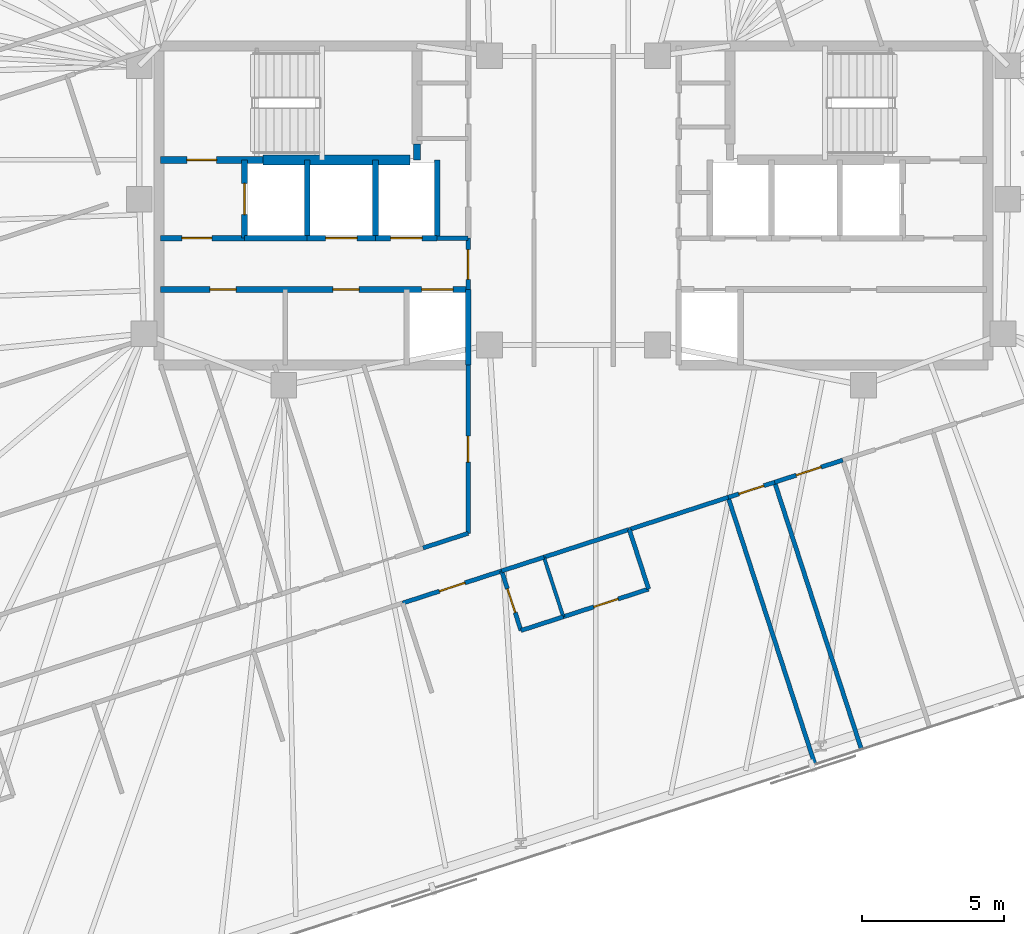
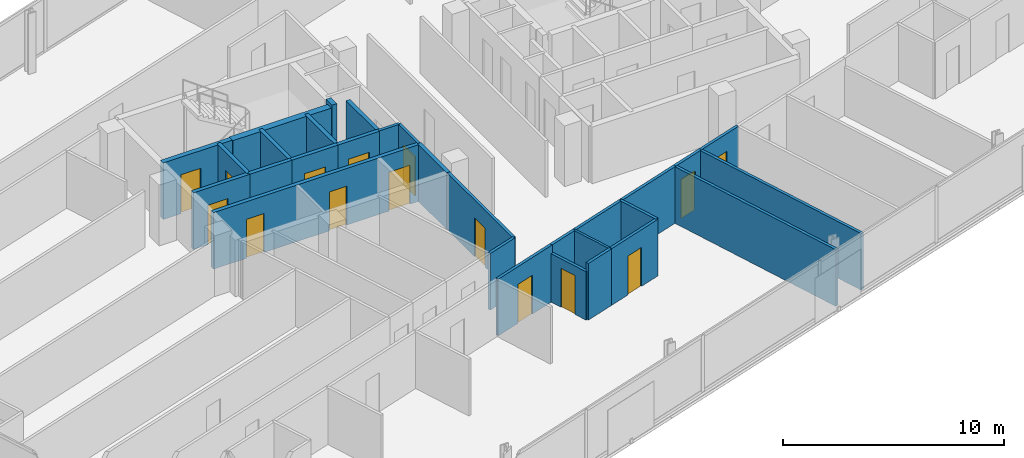
# One storey, part 14 of 19: 30 walls, 15 doors, 15 openings.
"""IFC4 building model written with IfcOpenShell, lengths in metres."""

from ifc_helpers import new_model, si_unit, direction, frame, frame_2d, origin, place, context, subcontext, project, spatial, rectangle, extrude, material, layer, layer_set, type_object, element, fill, save


model = new_model("IFC4")

# Units and contexts
model_context = context("Model", 3, precision=1e-05, world=origin(), true_north=direction((0.0, 1.0)))
body_context = subcontext(model_context, "Body", "Model", "MODEL_VIEW")
ifc_project = project(units=[si_unit("LENGTHUNIT", "METRE"), si_unit("AREAUNIT", "SQUARE_METRE"), si_unit("VOLUMEUNIT", "CUBIC_METRE"), si_unit("PLANEANGLEUNIT", "RADIAN"), si_unit("MASSUNIT", "GRAM", prefix="KILO")], contexts=[model_context])

# Site, building, storey
site_placement = place(None, origin())
site = spatial("IfcSite", under=ifc_project, at=site_placement, CompositionType="ELEMENT")
building_placement = place(site_placement, origin())
building = spatial("IfcBuilding", under=site, at=building_placement, Name="Menara Jurai Vektor", CompositionType="ELEMENT")
storey_placement = place(building_placement, frame((0.0, 0.0, 234.35009765625)))
storey = spatial("IfcBuildingStorey", under=building, at=storey_placement, Name="L62", CompositionType="ELEMENT", Elevation=234.35009765625)

# Wall, opening, door
ifc_material_1 = material(Name="Concrete C40/50", Category="concrete")
ifc_layer_1 = layer(ifc_material_1, 0.25)
ifc_layer_set_1 = layer_set([ifc_layer_1], Name="Concrete C40/50")
wall_type_1 = type_object("IfcWallType", Name="INT-WALL-CORE-250", PredefinedType="STANDARD", material=ifc_layer_set_1)
wall_1_placement = place(storey_placement, frame((-14.5, 1.60009765625, 0.0), z_axis=(0.0, 0.0, 1.0), x_axis=(1.0, 0.0, 0.0)))
wall_1 = element("IfcWall", 1, at=wall_1_placement, inside=storey, type_object=wall_type_1, Name="Interior Wall IW-250 L62", PredefinedType="STANDARD", context=body_context, shape_type="SweptSolid", body=[
    extrude(rectangle(XDim=3.60009765625, YDim=0.25, at=frame_2d((1.800048828125, 0.0))), origin(), (0.0, 0.0, 1.0), 3.125),
])
opening_1_placement = place(wall_1_placement, frame((0.919921875, 0.0, 0.0)))
opening_1 = element("IfcOpeningElement", 2, at=opening_1_placement, cuts=wall_1, Name="Opening D-L62-ST1", PredefinedType="OPENING", context=body_context, shape_type="SweptSolid", body=[
    extrude(rectangle(XDim=1.050048828125, YDim=2.14990234375, at=frame_2d((0.52490234375, 1.074951171875))), frame((0.0, 0.135009765625, 0.0), z_axis=(0.0, -1.0, 0.0), x_axis=(1.0, 0.0, 0.0)), (0.0, 0.0, 1.0), 0.27001953125),
])
ifc_material_2 = material(Name="Fire-Rated Steel Door", Category="steel")
door_type_1 = type_object("IfcDoorType", Name="DR-STAIR-1050", OperationType="NOTDEFINED", PredefinedType="DOOR", material=ifc_material_2)
door_1_placement = place(opening_1_placement, origin())
door_1 = element("IfcDoor", 3, at=door_1_placement, inside=storey, type_object=door_type_1, Name="Exit Stair ST1 Door L62", OperationType="SINGLE_SWING_RIGHT", OverallHeight=2.14990234375, OverallWidth=1.050048828125, PredefinedType="DOOR", context=body_context, shape_type="SweptSolid", body=[
    extrude(rectangle(XDim=1.050048828125, YDim=2.14990234375, at=frame_2d((0.52490234375, 1.074951171875))), frame((0.0, 0.02490234375, 0.0), z_axis=(0.0, -1.0, 0.0), x_axis=(1.0, 0.0, 0.0)), (0.0, 0.0, 1.0), 0.050048828125),
])
fill(opening_1, door_1)

# Wall
wall_2_placement = place(storey_placement, frame((-5.5, 1.60009765625, 0.0), z_axis=(0.0, 0.0, 1.0), x_axis=(0.0, 1.0, 0.0)))
element("IfcWall", 4, at=wall_2_placement, inside=storey, type_object=wall_type_1, Name="Interior Wall IW-250 L62", PredefinedType="STANDARD", context=body_context, shape_type="SweptSolid", body=[
    extrude(rectangle(XDim=0.5498046875, YDim=0.25, at=frame_2d((0.27490234375, 0.0))), origin(), (0.0, 0.0, 1.0), 3.125),
])

# Wall, opening, door
wall_3_placement = place(storey_placement, frame((-11.550048828125, -1.14990234375, 0.0), z_axis=(0.0, 0.0, 1.0), x_axis=(0.0, 1.0, 0.0)))
wall_3 = element("IfcWall", 5, at=wall_3_placement, inside=storey, type_object=wall_type_1, Name="Interior Wall IW-250 L62", PredefinedType="STANDARD", context=body_context, shape_type="SweptSolid", body=[
    extrude(rectangle(XDim=2.75, YDim=0.199951171875, at=frame_2d((1.375, 0.0))), origin(), (0.0, 0.0, 1.0), 3.125),
])
opening_2_placement = place(wall_3_placement, frame((0.824951171875, 0.0, 0.0)))
opening_2 = element("IfcOpeningElement", 6, at=opening_2_placement, cuts=wall_3, Name="Opening LD-L62-FL1", PredefinedType="OPENING", context=body_context, shape_type="SweptSolid", body=[
    extrude(rectangle(XDim=1.10009765625, YDim=2.14990234375, at=frame_2d((0.550048828125, 1.074951171875))), frame((0.0, 0.10986328125, 0.0), z_axis=(0.0, -1.0, 0.0), x_axis=(1.0, 0.0, 0.0)), (0.0, 0.0, 1.0), 0.219970703125),
])
ifc_material_3 = material(Name="Stainless Steel Sliding Lift Landing Door", Category="steel")
door_type_2 = type_object("IfcDoorType", Name="DR-LIFT-FIRE-1100", OperationType="NOTDEFINED", PredefinedType="DOOR", material=ifc_material_3)
door_2_placement = place(opening_2_placement, origin())
door_2 = element("IfcDoor", 7, at=door_2_placement, inside=storey, type_object=door_type_2, Name="Lift Landing Door FL1 L62", OperationType="SLIDING_TO_RIGHT", OverallHeight=2.14990234375, OverallWidth=1.10009765625, PredefinedType="DOOR", context=body_context, shape_type="SweptSolid", body=[
    extrude(rectangle(XDim=1.10009765625, YDim=2.14990234375, at=frame_2d((0.550048828125, 1.074951171875))), frame((0.0, 0.02490234375, 0.0), z_axis=(0.0, -1.0, 0.0), x_axis=(1.0, 0.0, 0.0)), (0.0, 0.0, 1.0), 0.050048828125),
])
fill(opening_2, door_2)

# Wall
wall_4_placement = place(storey_placement, frame((-9.35009765625, -1.14990234375, 0.0), z_axis=(0.0, 0.0, 1.0), x_axis=(0.0, 1.0, 0.0)))
element("IfcWall", 8, at=wall_4_placement, inside=storey, type_object=wall_type_1, Name="Interior Wall IW-250 L62", PredefinedType="STANDARD", context=body_context, shape_type="SweptSolid", body=[
    extrude(rectangle(XDim=2.75, YDim=0.199951171875, at=frame_2d((1.375, 0.0))), origin(), (0.0, 0.0, 1.0), 3.125),
])

# Wall, opening, door
wall_5_placement = place(storey_placement, frame((-14.5, -1.14990234375, 0.0), z_axis=(0.0, 0.0, 1.0), x_axis=(1.0, 0.0, 0.0)))
wall_5 = element("IfcWall", 9, at=wall_5_placement, inside=storey, type_object=wall_type_1, Name="Interior Wall IW-250 L62", PredefinedType="STANDARD", context=body_context, shape_type="SweptSolid", body=[
    extrude(rectangle(XDim=2.949951171875, YDim=0.199951171875, at=frame_2d((1.47509765625, 0.0))), origin(), (0.0, 0.0, 1.0), 3.125),
])
opening_3_placement = place(wall_5_placement, frame((0.75, 0.0, 0.0)))
opening_3 = element("IfcOpeningElement", 10, at=opening_3_placement, cuts=wall_5, Name="Opening D-L62-FFW", PredefinedType="OPENING", context=body_context, shape_type="SweptSolid", body=[
    extrude(rectangle(XDim=1.050048828125, YDim=2.179931640625, at=frame_2d((0.52490234375, 1.08984375))), frame((0.0, 0.10986328125, 0.0), z_axis=(0.0, -1.0, 0.0), x_axis=(1.0, 0.0, 0.0)), (0.0, 0.0, 1.0), 0.219970703125),
])
ifc_material_4 = material(Name="Fire-Rated Timber Door", Category="wood")
door_type_3 = type_object("IfcDoorType", Name="DR-LOBBY-1050", OperationType="NOTDEFINED", PredefinedType="DOOR", material=ifc_material_4)
door_3_placement = place(opening_3_placement, origin())
door_3 = element("IfcDoor", 11, at=door_3_placement, inside=storey, type_object=door_type_3, Name="Fire Lift Lobby Door W L62", OperationType="SINGLE_SWING_RIGHT", OverallHeight=2.179931640625, OverallWidth=1.050048828125, PredefinedType="DOOR", context=body_context, shape_type="SweptSolid", body=[
    extrude(rectangle(XDim=1.050048828125, YDim=2.179931640625, at=frame_2d((0.52490234375, 1.08984375))), frame((0.0, 0.02490234375, 0.0), z_axis=(0.0, -1.0, 0.0), x_axis=(1.0, 0.0, 0.0)), (0.0, 0.0, 1.0), 0.050048828125),
])
fill(opening_3, door_3)

# Wall
wall_6_placement = place(storey_placement, frame((-11.550048828125, -1.14990234375, 0.0), z_axis=(0.0, 0.0, 1.0), x_axis=(1.0, 0.0, 0.0)))
element("IfcWall", 12, at=wall_6_placement, inside=storey, type_object=wall_type_1, Name="Interior Wall IW-250 L62", PredefinedType="STANDARD", context=body_context, shape_type="SweptSolid", body=[
    extrude(rectangle(XDim=2.199951171875, YDim=0.199951171875, at=frame_2d((1.10009765625, 0.0))), origin(), (0.0, 0.0, 1.0), 3.125),
])

# Wall, opening, door
ifc_material_5 = material(Name="Gypsum Fireboard Partition", Category="gypsum")
ifc_layer_2 = layer(ifc_material_5, 0.14990234375)
ifc_layer_set_2 = layer_set([ifc_layer_2], Name="Gypsum Fireboard Partition")
wall_type_2 = type_object("IfcWallType", Name="INT-WALL-CORR-150", PredefinedType="PARTITIONING", material=ifc_layer_set_2)
wall_7_placement = place(storey_placement, frame((-3.699951171875, -2.949951171875, 0.0), z_axis=(0.0, 0.0, 1.0), x_axis=(0.0, 1.0, 0.0)))
wall_7 = element("IfcWall", 13, at=wall_7_placement, inside=storey, type_object=wall_type_2, Name="Interior Wall IW-150 L62", PredefinedType="PARTITIONING", context=body_context, shape_type="SweptSolid", body=[
    extrude(rectangle(XDim=1.800048828125, YDim=0.14990234375, at=frame_2d((0.89990234375, 0.0))), origin(), (0.0, 0.0, 1.0), 3.125),
])
opening_4_placement = place(wall_7_placement, frame((0.35009765625, 0.0, 0.0)))
opening_4 = element("IfcOpeningElement", 14, at=opening_4_placement, cuts=wall_7, Name="Opening D-L62-LLW", PredefinedType="OPENING", context=body_context, shape_type="SweptSolid", body=[
    extrude(rectangle(XDim=1.050048828125, YDim=2.179931640625, at=frame_2d((0.52490234375, 1.08984375))), frame((0.0, 0.0849609375, 0.0), z_axis=(0.0, -1.0, 0.0), x_axis=(1.0, 0.0, 0.0)), (0.0, 0.0, 1.0), 0.169921875),
])
door_4_placement = place(opening_4_placement, origin())
door_4 = element("IfcDoor", 15, at=door_4_placement, inside=storey, type_object=door_type_3, Name="Lift Lobby Corridor Door W L62", OperationType="SINGLE_SWING_LEFT", OverallHeight=2.179931640625, OverallWidth=1.050048828125, PredefinedType="DOOR", context=body_context, shape_type="SweptSolid", body=[
    extrude(rectangle(XDim=1.050048828125, YDim=2.179931640625, at=frame_2d((0.52490234375, 1.08984375))), frame((0.0, 0.02490234375, 0.0), z_axis=(0.0, -1.0, 0.0), x_axis=(1.0, 0.0, 0.0)), (0.0, 0.0, 1.0), 0.050048828125),
])
fill(opening_4, door_4)

# Wall
wall_8_placement = place(storey_placement, frame((-4.7900390625, -1.14990234375, 0.0), z_axis=(0.0, 0.0, 1.0), x_axis=(1.0, 0.0, 0.0)))
element("IfcWall", 16, at=wall_8_placement, inside=storey, type_object=wall_type_2, Name="Interior Wall IW-150 L62", PredefinedType="PARTITIONING", context=body_context, shape_type="SweptSolid", body=[
    extrude(rectangle(XDim=1.090087890625, YDim=0.14990234375, at=frame_2d((0.544921875, 0.0))), origin(), (0.0, 0.0, 1.0), 3.125),
])

# Wall, opening, door
wall_9_placement = place(storey_placement, frame((-5.9951171875, -13.962890625, 0.0), z_axis=(0.0, 0.0, 1.0), x_axis=(0.951050780541, 0.309034646652, 0.0)))
wall_9 = element("IfcWall", 17, at=wall_9_placement, inside=storey, type_object=wall_type_2, Name="Interior Wall IW-150 L62", PredefinedType="PARTITIONING", context=body_context, shape_type="SweptSolid", body=[
    extrude(rectangle(XDim=3.64990234375, YDim=0.14990234375, at=frame_2d((1.824951171875, 0.0))), origin(), (0.0, 0.0, 1.0), 3.125),
])
opening_5_placement = place(wall_9_placement, frame((1.35009765625, 0.0, 0.0)))
opening_5 = element("IfcOpeningElement", 18, at=opening_5_placement, cuts=wall_9, Name="Opening D62-19", PredefinedType="OPENING", context=body_context, shape_type="SweptSolid", body=[
    extrude(rectangle(XDim=0.949951171875, YDim=2.14990234375, at=frame_2d((0.47509765625, 1.074951171875))), frame((0.0, 0.0849609375, 0.0), z_axis=(0.0, -1.0, 0.0), x_axis=(1.0, 0.0, 0.0)), (0.0, 0.0, 1.0), 0.169921875),
])
ifc_material_6 = material(Name="Solid Core Timber Fire Door", Category="wood")
door_type_4 = type_object("IfcDoorType", Name="DR-ENTRY-950", OperationType="NOTDEFINED", PredefinedType="DOOR", material=ifc_material_6)
door_5_placement = place(opening_5_placement, origin())
door_5 = element("IfcDoor", 19, at=door_5_placement, inside=storey, type_object=door_type_4, Name="Interior Door D62-19", OperationType="SINGLE_SWING_LEFT", OverallHeight=2.14990234375, OverallWidth=0.949951171875, PredefinedType="DOOR", context=body_context, shape_type="SweptSolid", body=[
    extrude(rectangle(XDim=0.949951171875, YDim=2.14990234375, at=frame_2d((0.47509765625, 1.074951171875))), frame((0.0, 0.02490234375, 0.0), z_axis=(0.0, -1.0, 0.0), x_axis=(1.0, 0.0, 0.0)), (0.0, 0.0, 1.0), 0.050048828125),
])
fill(opening_5, door_5)

# Walls
wall_10_placement = place(storey_placement, frame((1.980224609375, -11.37158203125, 0.0), z_axis=(0.0, 0.0, 1.0), x_axis=(0.951052868128, 0.309028222052, 0.0)))
element("IfcWall", 20, at=wall_10_placement, inside=storey, type_object=wall_type_2, Name="Interior Wall IW-150 L62", PredefinedType="PARTITIONING", context=body_context, shape_type="SweptSolid", body=[
    extrude(rectangle(XDim=3.626220703125, YDim=0.14990234375, at=frame_2d((1.81298828125, 0.0))), origin(), (0.0, 0.0, 1.0), 3.125),
])
wall_11_placement = place(storey_placement, frame((-2.52392578125, -12.8349609375, 0.0), z_axis=(0.0, 0.0, 1.0), x_axis=(0.951062779317, 0.308997718112, 0.0)))
element("IfcWall", 21, at=wall_11_placement, inside=storey, type_object=wall_type_2, Name="Interior Wall IW-150 L62", PredefinedType="PARTITIONING", context=body_context, shape_type="SweptSolid", body=[
    extrude(rectangle(XDim=1.56201171875, YDim=0.14990234375, at=frame_2d((0.781005859375, 0.0))), origin(), (0.0, 0.0, 1.0), 3.125),
])
wall_12_placement = place(storey_placement, frame((-1.038330078125, -12.352294921875, 0.0), z_axis=(0.0, 0.0, 1.0), x_axis=(0.951058557014, 0.309010713619, 0.0)))
element("IfcWall", 22, at=wall_12_placement, inside=storey, type_object=wall_type_2, Name="Interior Wall IW-150 L62", PredefinedType="PARTITIONING", context=body_context, shape_type="SweptSolid", body=[
    extrude(rectangle(XDim=3.14990234375, YDim=0.14990234375, at=frame_2d((1.574951171875, 0.0))), origin(), (0.0, 0.0, 1.0), 3.125),
])

# Wall, opening, door
wall_13_placement = place(storey_placement, frame((5.428955078125, -10.2509765625, 0.0), z_axis=(0.0, 0.0, 1.0), x_axis=(0.95104661559, 0.309047463953, 0.0)))
wall_13 = element("IfcWall", 23, at=wall_13_placement, inside=storey, type_object=wall_type_2, Name="Interior Wall IW-150 L62", PredefinedType="PARTITIONING", context=body_context, shape_type="SweptSolid", body=[
    extrude(rectangle(XDim=1.7158203125, YDim=0.14990234375, at=frame_2d((0.85791015625, 0.0))), origin(), (0.0, 0.0, 1.0), 3.125),
])
opening_6_placement = place(wall_13_placement, frame((0.39794921875, 0.0, 0.0)))
opening_6 = element("IfcOpeningElement", 24, at=opening_6_placement, cuts=wall_13, Name="Opening D62-32", PredefinedType="OPENING", context=body_context, shape_type="SweptSolid", body=[
    extrude(rectangle(XDim=0.919921875, YDim=2.14990234375, at=frame_2d((0.4599609375, 1.074951171875))), frame((0.0, 0.0849609375, 0.0), z_axis=(0.0, -1.0, 0.0), x_axis=(1.0, 0.0, 0.0)), (0.0, 0.0, 1.0), 0.169921875),
])
door_6_placement = place(opening_6_placement, origin())
door_6 = element("IfcDoor", 25, at=door_6_placement, inside=storey, type_object=door_type_4, Name="Interior Door D62-32", OperationType="SINGLE_SWING_RIGHT", OverallHeight=2.14990234375, OverallWidth=0.919921875, PredefinedType="DOOR", context=body_context, shape_type="SweptSolid", body=[
    extrude(rectangle(XDim=0.919921875, YDim=2.14990234375, at=frame_2d((0.4599609375, 1.074951171875))), frame((0.0, 0.02490234375, 0.0), z_axis=(0.0, -1.0, 0.0), x_axis=(1.0, 0.0, 0.0)), (0.0, 0.0, 1.0), 0.050048828125),
])
fill(opening_6, door_6)

wall_14_placement = place(storey_placement, frame((7.060791015625, -9.720703125, 0.0), z_axis=(0.0, 0.0, 1.0), x_axis=(0.951051887333, 0.309031240494, 0.0)))
wall_14 = element("IfcWall", 26, at=wall_14_placement, inside=storey, type_object=wall_type_2, Name="Interior Wall IW-150 L62", PredefinedType="PARTITIONING", context=body_context, shape_type="SweptSolid", body=[
    extrude(rectangle(XDim=2.51708984375, YDim=0.14990234375, at=frame_2d((1.258544921875, 0.0))), origin(), (0.0, 0.0, 1.0), 3.125),
])
opening_7_placement = place(wall_14_placement, frame((0.798583984375, 0.0, 0.0)))
opening_7 = element("IfcOpeningElement", 27, at=opening_7_placement, cuts=wall_14, Name="Opening D62-33", PredefinedType="OPENING", context=body_context, shape_type="SweptSolid", body=[
    extrude(rectangle(XDim=0.919921875, YDim=2.14990234375, at=frame_2d((0.4599609375, 1.074951171875))), frame((0.0, 0.0849609375, 0.0), z_axis=(0.0, -1.0, 0.0), x_axis=(1.0, 0.0, 0.0)), (0.0, 0.0, 1.0), 0.169921875),
])
door_7_placement = place(opening_7_placement, origin())
door_7 = element("IfcDoor", 28, at=door_7_placement, inside=storey, type_object=door_type_4, Name="Interior Door D62-33", OperationType="SINGLE_SWING_LEFT", OverallHeight=2.14990234375, OverallWidth=0.919921875, PredefinedType="DOOR", context=body_context, shape_type="SweptSolid", body=[
    extrude(rectangle(XDim=0.919921875, YDim=2.14990234375, at=frame_2d((0.4599609375, 1.074951171875))), frame((0.0, 0.02490234375, 0.0), z_axis=(0.0, -1.0, 0.0), x_axis=(1.0, 0.0, 0.0)), (0.0, 0.0, 1.0), 0.050048828125),
])
fill(opening_7, door_7)

# Wall
wall_15_placement = place(storey_placement, frame((-5.283203125, -12.0283203125, 0.0), z_axis=(0.0, 0.0, 1.0), x_axis=(0.951031913627, 0.309092703349, 0.0)))
element("IfcWall", 29, at=wall_15_placement, inside=storey, type_object=wall_type_2, Name="Interior Wall IW-150 L62", PredefinedType="PARTITIONING", context=body_context, shape_type="SweptSolid", body=[
    extrude(rectangle(XDim=1.6650390625, YDim=0.14990234375, at=frame_2d((0.83251953125, 0.0))), origin(), (0.0, 0.0, 1.0), 3.125),
])

# Wall, opening, door
wall_16_placement = place(storey_placement, frame((-3.69970703125, -11.513671875, 0.0), z_axis=(0.0, 0.0, 1.0), x_axis=(-8.2572974e-05, 0.999999996591, 0.0)))
wall_16 = element("IfcWall", 30, at=wall_16_placement, inside=storey, type_object=wall_type_2, Name="Interior Wall IW-150 L62", PredefinedType="PARTITIONING", context=body_context, shape_type="SweptSolid", body=[
    extrude(rectangle(XDim=5.913330078125, YDim=0.14990234375, at=frame_2d((2.95654296875, 0.0))), origin(), (0.0, 0.0, 1.0), 3.125),
])
opening_8_placement = place(wall_16_placement, frame((2.49658203125, 0.0, 0.0)))
opening_8 = element("IfcOpeningElement", 31, at=opening_8_placement, cuts=wall_16, Name="Opening D62-39", PredefinedType="OPENING", context=body_context, shape_type="SweptSolid", body=[
    extrude(rectangle(XDim=0.919921875, YDim=2.14990234375, at=frame_2d((0.4599609375, 1.074951171875))), frame((0.0, 0.0849609375, 0.0), z_axis=(0.0, -1.0, 0.0), x_axis=(1.0, 0.0, 0.0)), (0.0, 0.0, 1.0), 0.169921875),
])
door_8_placement = place(opening_8_placement, origin())
door_8 = element("IfcDoor", 32, at=door_8_placement, inside=storey, type_object=door_type_4, Name="Interior Door D62-39", OperationType="SINGLE_SWING_LEFT", OverallHeight=2.14990234375, OverallWidth=0.919921875, PredefinedType="DOOR", context=body_context, shape_type="SweptSolid", body=[
    extrude(rectangle(XDim=0.919921875, YDim=2.14990234375, at=frame_2d((0.4599609375, 1.074951171875))), frame((0.0, 0.02490234375, 0.0), z_axis=(0.0, -1.0, 0.0), x_axis=(1.0, 0.0, 0.0)), (0.0, 0.0, 1.0), 0.050048828125),
])
fill(opening_8, door_8)

# Wall
wall_17_placement = place(storey_placement, frame((-1.843994140625, -14.92724609375, 0.0), z_axis=(0.0, 0.0, 1.0), x_axis=(0.951062779317, 0.308997718112, 0.0)))
element("IfcWall", 33, at=wall_17_placement, inside=storey, type_object=wall_type_2, Name="Interior Wall IW-150 L62", PredefinedType="PARTITIONING", context=body_context, shape_type="SweptSolid", body=[
    extrude(rectangle(XDim=1.56201171875, YDim=0.14990234375, at=frame_2d((0.781005859375, 0.0))), origin(), (0.0, 0.0, 1.0), 3.125),
])

# Wall, opening, door
wall_18_placement = place(storey_placement, frame((-0.3583984375, -14.444580078125, 0.0), z_axis=(0.0, 0.0, 1.0), x_axis=(0.951051155468, 0.309033492816, 0.0)))
wall_18 = element("IfcWall", 34, at=wall_18_placement, inside=storey, type_object=wall_type_2, Name="Interior Wall IW-150 L62", PredefinedType="PARTITIONING", context=body_context, shape_type="SweptSolid", body=[
    extrude(rectangle(XDim=3.14990234375, YDim=0.14990234375, at=frame_2d((1.574951171875, 0.0))), origin(), (0.0, 0.0, 1.0), 3.125),
])
opening_9_placement = place(wall_18_placement, frame((1.125, 0.0, 0.0)))
opening_9 = element("IfcOpeningElement", 35, at=opening_9_placement, cuts=wall_18, Name="Opening D62-21", PredefinedType="OPENING", context=body_context, shape_type="SweptSolid", body=[
    extrude(rectangle(XDim=0.89990234375, YDim=2.14990234375, at=frame_2d((0.449951171875, 1.074951171875))), frame((0.0, 0.0849609375, 0.0), z_axis=(0.0, -1.0, 0.0), x_axis=(1.0, 0.0, 0.0)), (0.0, 0.0, 1.0), 0.169921875),
])
ifc_material_7 = material(Name="Acoustic Timber Interior Door", Category="wood")
door_type_5 = type_object("IfcDoorType", Name="DR-ROOM-900", OperationType="NOTDEFINED", PredefinedType="DOOR", material=ifc_material_7)
door_9_placement = place(opening_9_placement, origin())
door_9 = element("IfcDoor", 36, at=door_9_placement, inside=storey, type_object=door_type_5, Name="Interior Door D62-21", OperationType="SINGLE_SWING_LEFT", OverallHeight=2.14990234375, OverallWidth=0.89990234375, PredefinedType="DOOR", context=body_context, shape_type="SweptSolid", body=[
    extrude(rectangle(XDim=0.89990234375, YDim=2.14990234375, at=frame_2d((0.449951171875, 1.074951171875))), frame((0.0, 0.02490234375, 0.0), z_axis=(0.0, -1.0, 0.0), x_axis=(1.0, 0.0, 0.0)), (0.0, 0.0, 1.0), 0.050048828125),
])
fill(opening_9, door_9)

# Walls
wall_19_placement = place(storey_placement, frame((2.63720703125, -13.47119140625, 0.0), z_axis=(0.0, 0.0, 1.0), x_axis=(-0.308960600764, 0.951074837842, 0.0)))
element("IfcWall", 37, at=wall_19_placement, inside=storey, type_object=wall_type_2, Name="Interior Wall IW-150 L62", PredefinedType="PARTITIONING", context=body_context, shape_type="SweptSolid", body=[
    extrude(rectangle(XDim=2.199951171875, YDim=0.14990234375, at=frame_2d((1.10009765625, 0.0))), origin(), (0.0, 0.0, 1.0), 3.125),
])
for number, where, z_axis, x_axis, name in (
    (38, (8.476318359375, -19.63037109375, 0.0), (0.0, 0.0, 1.0), (-0.308999867152, 0.951062081097, 0.0), "Interior Wall IW-150 L62"),
    (39, (10.1083984375, -19.10009765625, 0.0), (0.0, 0.0, 1.0), (-0.309022258842, 0.95105480575, 0.0), "Interior Wall IW-150 L62"),
):
    element("IfcWall", number, at=place(storey_placement, frame(where, z_axis=z_axis, x_axis=x_axis)), inside=storey, type_object=wall_type_2, Name=name, PredefinedType="PARTITIONING", context=body_context, shape_type="SweptSolid", body=[
        extrude(rectangle(XDim=9.862060546875, YDim=0.14990234375, at=frame_2d((4.93115234375, 0.0))), origin(), (0.0, 0.0, 1.0), 3.125),
    ])

# Wall, opening, door
ifc_layer_3 = layer(ifc_material_5, 0.14990234375)
ifc_layer_set_3 = layer_set([ifc_layer_3], Name="Gypsum Fireboard Partition")
wall_type_3 = type_object("IfcWallType", Name="INT-WALL-CORR-150-H1", PredefinedType="PARTITIONING", material=ifc_layer_set_3)
wall_20_placement = place(storey_placement, frame((-1.843994140625, -14.92724609375, 0.0), z_axis=(0.0, 0.0, 1.0), x_axis=(-0.309060979314, 0.951042223598, 0.0)))
wall_20 = element("IfcWall", 40, at=wall_20_placement, inside=storey, type_object=wall_type_3, Name="Interior Wall IW-150 L62", PredefinedType="PARTITIONING", context=body_context, shape_type="SweptSolid", body=[
    extrude(rectangle(XDim=2.199951171875, YDim=0.14990234375, at=frame_2d((1.10009765625, 0.0))), origin(), (0.0, 0.0, 1.0), 2.6748046875),
])
opening_10_placement = place(wall_20_placement, frame((0.659912109375, 0.0, 0.0)))
opening_10 = element("IfcOpeningElement", 41, at=opening_10_placement, cuts=wall_20, Name="Opening D62-20", PredefinedType="OPENING", context=body_context, shape_type="SweptSolid", body=[
    extrude(rectangle(XDim=0.8798828125, YDim=2.14990234375, at=frame_2d((0.43994140625, 1.074951171875))), frame((0.0, 0.0849609375, 0.0), z_axis=(0.0, -1.0, 0.0), x_axis=(1.0, 0.0, 0.0)), (0.0, 0.0, 1.0), 0.169921875),
])
ifc_material_8 = material(Name="Moisture-Resistant Timber Door", Category="wood")
door_type_6 = type_object("IfcDoorType", Name="DR-BATH-880", OperationType="NOTDEFINED", PredefinedType="DOOR", material=ifc_material_8)
door_10_placement = place(opening_10_placement, origin())
door_10 = element("IfcDoor", 42, at=door_10_placement, inside=storey, type_object=door_type_6, Name="Interior Door D62-20", OperationType="SINGLE_SWING_RIGHT", OverallHeight=2.14990234375, OverallWidth=0.8798828125, PredefinedType="DOOR", context=body_context, shape_type="SweptSolid", body=[
    extrude(rectangle(XDim=0.8798828125, YDim=2.14990234375, at=frame_2d((0.43994140625, 1.074951171875))), frame((0.0, 0.02490234375, 0.0), z_axis=(0.0, -1.0, 0.0), x_axis=(1.0, 0.0, 0.0)), (0.0, 0.0, 1.0), 0.050048828125),
])
fill(opening_10, door_10)

# Walls
ifc_material_9 = material(Name="Gypsum Acoustic Stud Partition", Category="gypsum")
ifc_layer_4 = layer(ifc_material_9, 0.1201171875)
ifc_layer_set_4 = layer_set([ifc_layer_4], Name="Gypsum Acoustic Stud Partition")
wall_type_4 = type_object("IfcWallType", Name="INT-WALL-PART-120", PredefinedType="PARTITIONING", material=ifc_layer_set_4)
wall_21_placement = place(storey_placement, frame((-0.3583984375, -14.444580078125, 0.0), z_axis=(0.0, 0.0, 1.0), x_axis=(-0.309060979314, 0.951042223598, 0.0)))
element("IfcWall", 43, at=wall_21_placement, inside=storey, type_object=wall_type_4, Name="Interior Wall IW-120 L62", PredefinedType="PARTITIONING", context=body_context, shape_type="SweptSolid", body=[
    extrude(rectangle(XDim=2.199951171875, YDim=0.1201171875, at=frame_2d((1.10009765625, 0.0))), origin(), (0.0, 0.0, 1.0), 3.125),
])
ifc_layer_5 = layer(ifc_material_1, 0.199951171875)
ifc_layer_set_5 = layer_set([ifc_layer_5], Name="Concrete C40/50")
wall_type_5 = type_object("IfcWallType", Name="INT-WALL-SHAFT-200", PredefinedType="STANDARD", material=ifc_layer_set_5)
wall_22_placement = place(storey_placement, frame((-3.699951171875, -5.60009765625, 0.0), z_axis=(0.0, 0.0, 1.0), x_axis=(0.0, 1.0, 0.0)))
element("IfcWall", 44, at=wall_22_placement, inside=storey, type_object=wall_type_5, Name="Interior Wall IW-200 L62", PredefinedType="STANDARD", context=body_context, shape_type="SweptSolid", body=[
    extrude(rectangle(XDim=2.650146484375, YDim=0.199951171875, at=frame_2d((1.3251953125, 0.0))), origin(), (0.0, 0.0, 1.0), 3.125),
])
wall_23_placement = place(storey_placement, frame((-6.949951171875, -1.14990234375, 0.0), z_axis=(0.0, 0.0, 1.0), x_axis=(0.0, 1.0, 0.0)))
element("IfcWall", 45, at=wall_23_placement, inside=storey, type_object=wall_type_5, Name="Interior Wall IW-200 L62", PredefinedType="STANDARD", context=body_context, shape_type="SweptSolid", body=[
    extrude(rectangle(XDim=2.75, YDim=0.199951171875, at=frame_2d((1.375, 0.0))), origin(), (0.0, 0.0, 1.0), 3.125),
])

# Wall, opening, door
wall_24_placement = place(storey_placement, frame((-9.35009765625, -1.14990234375, 0.0), z_axis=(0.0, 0.0, 1.0), x_axis=(1.0, 0.0, 0.0)))
wall_24 = element("IfcWall", 46, at=wall_24_placement, inside=storey, type_object=wall_type_5, Name="Interior Wall IW-200 L62", PredefinedType="STANDARD", context=body_context, shape_type="SweptSolid", body=[
    extrude(rectangle(XDim=2.400146484375, YDim=0.199951171875, at=frame_2d((1.2001953125, 0.0))), origin(), (0.0, 0.0, 1.0), 3.125),
])
opening_11_placement = place(wall_24_placement, frame((0.64990234375, 0.0, 0.0)))
opening_11 = element("IfcOpeningElement", 47, at=opening_11_placement, cuts=wall_24, Name="Opening LD-L62-SVL1", PredefinedType="OPENING", context=body_context, shape_type="SweptSolid", body=[
    extrude(rectangle(XDim=1.10009765625, YDim=2.14990234375, at=frame_2d((0.550048828125, 1.074951171875))), frame((0.0, 0.10986328125, 0.0), z_axis=(0.0, -1.0, 0.0), x_axis=(1.0, 0.0, 0.0)), (0.0, 0.0, 1.0), 0.219970703125),
])
ifc_material_10 = material(Name="Anodised Stainless Sliding Lift Landing Door", Category="steel")
door_type_7 = type_object("IfcDoorType", Name="DR-LIFT-PASS-1100", OperationType="NOTDEFINED", PredefinedType="DOOR", material=ifc_material_10)
door_11_placement = place(opening_11_placement, origin())
door_11 = element("IfcDoor", 48, at=door_11_placement, inside=storey, type_object=door_type_7, Name="Lift Landing Door SVL1 L62", OperationType="SLIDING_TO_RIGHT", OverallHeight=2.14990234375, OverallWidth=1.10009765625, PredefinedType="DOOR", context=body_context, shape_type="SweptSolid", body=[
    extrude(rectangle(XDim=1.10009765625, YDim=2.14990234375, at=frame_2d((0.550048828125, 1.074951171875))), frame((0.0, 0.02490234375, 0.0), z_axis=(0.0, -1.0, 0.0), x_axis=(1.0, 0.0, 0.0)), (0.0, 0.0, 1.0), 0.050048828125),
])
fill(opening_11, door_11)

# Wall
wall_25_placement = place(storey_placement, frame((-4.7900390625, -1.14990234375, 0.0), z_axis=(0.0, 0.0, 1.0), x_axis=(0.0, 1.0, 0.0)))
element("IfcWall", 49, at=wall_25_placement, inside=storey, type_object=wall_type_5, Name="Interior Wall IW-200 L62", PredefinedType="STANDARD", context=body_context, shape_type="SweptSolid", body=[
    extrude(rectangle(XDim=2.75, YDim=0.199951171875, at=frame_2d((1.375, 0.0))), origin(), (0.0, 0.0, 1.0), 3.125),
])

# Wall, opening, door
wall_26_placement = place(storey_placement, frame((-6.949951171875, -1.14990234375, 0.0), z_axis=(0.0, 0.0, 1.0), x_axis=(1.0, 0.0, 0.0)))
wall_26 = element("IfcWall", 50, at=wall_26_placement, inside=storey, type_object=wall_type_5, Name="Interior Wall IW-200 L62", PredefinedType="STANDARD", context=body_context, shape_type="SweptSolid", body=[
    extrude(rectangle(XDim=2.159912109375, YDim=0.199951171875, at=frame_2d((1.080078125, 0.0))), origin(), (0.0, 0.0, 1.0), 3.125),
])
opening_12_placement = place(wall_26_placement, frame((0.530029296875, 0.0, 0.0)))
opening_12 = element("IfcOpeningElement", 51, at=opening_12_placement, cuts=wall_26, Name="Opening LD-L62-PH2", PredefinedType="OPENING", context=body_context, shape_type="SweptSolid", body=[
    extrude(rectangle(XDim=1.10009765625, YDim=2.14990234375, at=frame_2d((0.550048828125, 1.074951171875))), frame((0.0, 0.10986328125, 0.0), z_axis=(0.0, -1.0, 0.0), x_axis=(1.0, 0.0, 0.0)), (0.0, 0.0, 1.0), 0.219970703125),
])
door_12_placement = place(opening_12_placement, origin())
door_12 = element("IfcDoor", 52, at=door_12_placement, inside=storey, type_object=door_type_7, Name="Lift Landing Door PH2 L62", OperationType="SLIDING_TO_RIGHT", OverallHeight=2.14990234375, OverallWidth=1.10009765625, PredefinedType="DOOR", context=body_context, shape_type="SweptSolid", body=[
    extrude(rectangle(XDim=1.10009765625, YDim=2.14990234375, at=frame_2d((0.550048828125, 1.074951171875))), frame((0.0, 0.02490234375, 0.0), z_axis=(0.0, -1.0, 0.0), x_axis=(1.0, 0.0, 0.0)), (0.0, 0.0, 1.0), 0.050048828125),
])
fill(opening_12, door_12)

# Wall, openings, doors
wall_27_placement = place(storey_placement, frame((-14.5, -2.949951171875, 0.0), z_axis=(0.0, 0.0, 1.0), x_axis=(1.0, 0.0, 0.0)))
wall_27 = element("IfcWall", 53, at=wall_27_placement, inside=storey, type_object=wall_type_5, Name="Interior Wall IW-200 L62", PredefinedType="STANDARD", context=body_context, shape_type="SweptSolid", body=[
    extrude(rectangle(XDim=10.800048828125, YDim=0.199951171875, at=frame_2d((5.39990234375, 0.0))), origin(), (0.0, 0.0, 1.0), 3.125),
])
opening_13_placement = place(wall_27_placement, frame((9.169921875, 0.0, 0.0)))
opening_13 = element("IfcOpeningElement", 54, at=opening_13_placement, cuts=wall_27, Name="Opening LD-L62-PH1", PredefinedType="OPENING", context=body_context, shape_type="SweptSolid", body=[
    extrude(rectangle(XDim=1.10009765625, YDim=2.14990234375, at=frame_2d((0.550048828125, 1.074951171875))), frame((0.0, 0.10986328125, 0.0), z_axis=(0.0, -1.0, 0.0), x_axis=(1.0, 0.0, 0.0)), (0.0, 0.0, 1.0), 0.219970703125),
])
opening_14_placement = place(wall_27_placement, frame((1.72998046875, 0.0, 0.0)))
opening_14 = element("IfcOpeningElement", 55, at=opening_14_placement, cuts=wall_27, Name="Opening D62-01", PredefinedType="OPENING", context=body_context, shape_type="SweptSolid", body=[
    extrude(rectangle(XDim=0.919921875, YDim=2.14990234375, at=frame_2d((0.4599609375, 1.074951171875))), frame((0.0, 0.10986328125, 0.0), z_axis=(0.0, -1.0, 0.0), x_axis=(1.0, 0.0, 0.0)), (0.0, 0.0, 1.0), 0.219970703125),
])
opening_15_placement = place(wall_27_placement, frame((6.050048828125, 0.0, 0.0)))
opening_15 = element("IfcOpeningElement", 56, at=opening_15_placement, cuts=wall_27, Name="Opening D62-02", PredefinedType="OPENING", context=body_context, shape_type="SweptSolid", body=[
    extrude(rectangle(XDim=0.919921875, YDim=2.14990234375, at=frame_2d((0.4599609375, 1.074951171875))), frame((0.0, 0.10986328125, 0.0), z_axis=(0.0, -1.0, 0.0), x_axis=(1.0, 0.0, 0.0)), (0.0, 0.0, 1.0), 0.219970703125),
])
door_13_placement = place(opening_14_placement, origin())
door_13 = element("IfcDoor", 57, at=door_13_placement, inside=storey, type_object=door_type_4, Name="Interior Door D62-01", OperationType="SINGLE_SWING_LEFT", OverallHeight=2.14990234375, OverallWidth=0.919921875, PredefinedType="DOOR", context=body_context, shape_type="SweptSolid", body=[
    extrude(rectangle(XDim=0.919921875, YDim=2.14990234375, at=frame_2d((0.4599609375, 1.074951171875))), frame((0.0, 0.02490234375, 0.0), z_axis=(0.0, -1.0, 0.0), x_axis=(1.0, 0.0, 0.0)), (0.0, 0.0, 1.0), 0.050048828125),
])
fill(opening_14, door_13)
door_14_placement = place(opening_15_placement, origin())
door_14 = element("IfcDoor", 58, at=door_14_placement, inside=storey, type_object=door_type_4, Name="Interior Door D62-02", OperationType="SINGLE_SWING_RIGHT", OverallHeight=2.14990234375, OverallWidth=0.919921875, PredefinedType="DOOR", context=body_context, shape_type="SweptSolid", body=[
    extrude(rectangle(XDim=0.919921875, YDim=2.14990234375, at=frame_2d((0.4599609375, 1.074951171875))), frame((0.0, 0.02490234375, 0.0), z_axis=(0.0, -1.0, 0.0), x_axis=(1.0, 0.0, 0.0)), (0.0, 0.0, 1.0), 0.050048828125),
])
fill(opening_15, door_14)
door_15_placement = place(opening_13_placement, origin())
door_15 = element("IfcDoor", 59, at=door_15_placement, inside=storey, type_object=door_type_7, Name="Lift Landing Door PH1 L62", OperationType="SLIDING_TO_RIGHT", OverallHeight=2.14990234375, OverallWidth=1.10009765625, PredefinedType="DOOR", context=body_context, shape_type="SweptSolid", body=[
    extrude(rectangle(XDim=1.10009765625, YDim=2.14990234375, at=frame_2d((0.550048828125, 1.074951171875))), frame((0.0, 0.02490234375, 0.0), z_axis=(0.0, -1.0, 0.0), x_axis=(1.0, 0.0, 0.0)), (0.0, 0.0, 1.0), 0.050048828125),
])
fill(opening_13, door_15)

# Wall
ifc_material_11 = material(Name="Concrete C50/60", Category="concrete")
ifc_layer_6 = layer(ifc_material_11, 0.35009765625)
ifc_layer_set_6 = layer_set([ifc_layer_6], Name="Concrete C50/60")
wall_type_6 = type_object("IfcWallType", Name="STR-WALL-CORE350", PredefinedType="SHEAR", material=ifc_layer_set_6)
wall_28_placement = place(storey_placement, frame((-10.89990234375, 1.60009765625, 0.0), z_axis=(0.0, 0.0, 1.0), x_axis=(1.0, 0.0, 0.0)))
element("IfcWall", 60, at=wall_28_placement, inside=storey, type_object=wall_type_6, Name="Core Shear Wall CW-W-STS L62", PredefinedType="SHEAR", context=body_context, shape_type="SweptSolid", body=[
    extrude(rectangle(XDim=5.14990234375, YDim=0.35009765625, at=frame_2d((2.574951171875, 0.0))), origin(), (0.0, 0.0, 1.0), 3.125),
])

save(model, "model.ifc")
